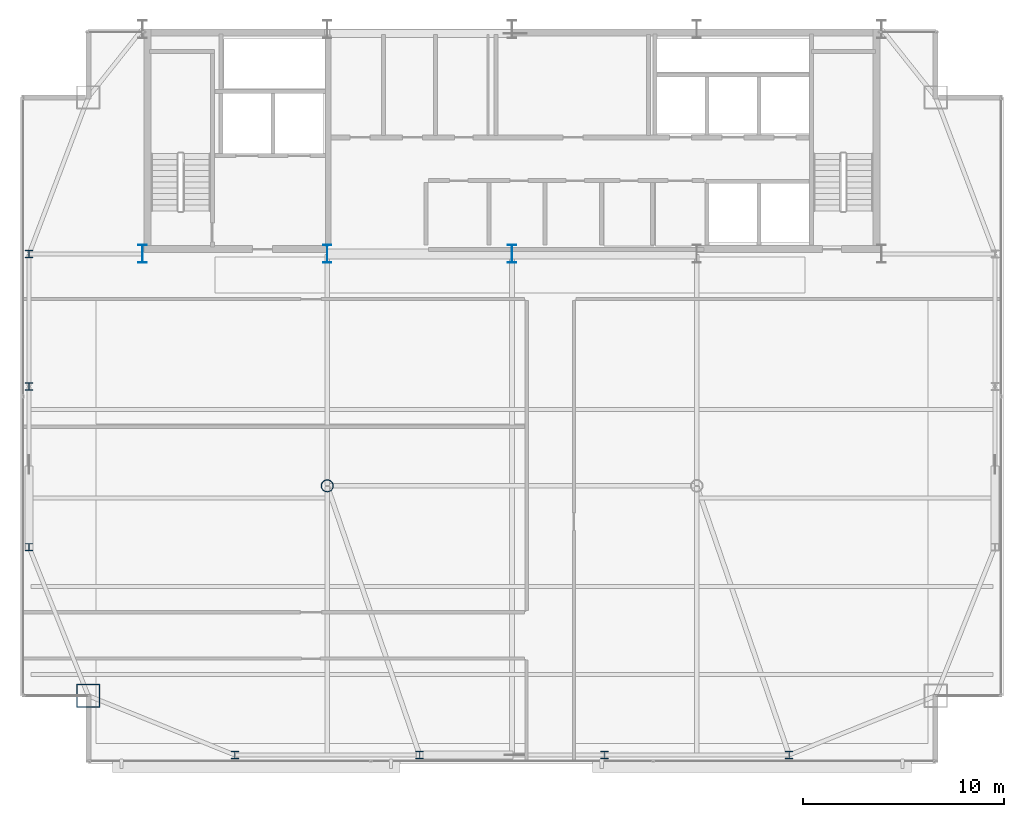
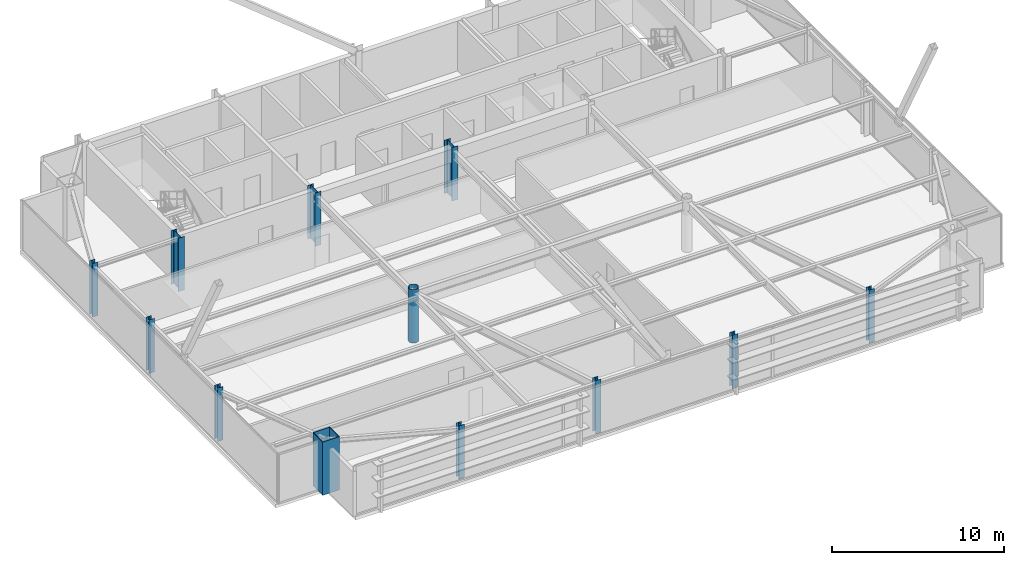
# One storey, part 1 of 27: 12 columns.
"""IFC4 building model written with IfcOpenShell, lengths in metres."""

from ifc_helpers import new_model, si_unit, direction, frame, origin, origin_2d, place, context, subcontext, project, spatial, hollow_rectangle, hollow_circle, i_section, extrude, source, transform, mapped, material, material_profile, profile_set, type_object, type_shapes, element, save


model = new_model("IFC4")

# Units and contexts
model_context = context("Model", 3, precision=1e-05, world=origin(), true_north=direction((0.0, 1.0)))
body_context = subcontext(model_context, "Body", "Model", "MODEL_VIEW")
ifc_project = project(units=[si_unit("LENGTHUNIT", "METRE"), si_unit("AREAUNIT", "SQUARE_METRE"), si_unit("VOLUMEUNIT", "CUBIC_METRE"), si_unit("PLANEANGLEUNIT", "RADIAN"), si_unit("MASSUNIT", "GRAM", prefix="KILO")], contexts=[model_context])

# Site, building, storey
site_placement = place(None, origin())
site = spatial("IfcSite", under=ifc_project, at=site_placement, CompositionType="ELEMENT")
building_placement = place(site_placement, origin())
building = spatial("IfcBuilding", under=site, at=building_placement, Name="Varnel Quay Broadcast Tower", CompositionType="ELEMENT")
storey_placement = place(building_placement, frame((0.0, 0.0, 243.199951171875)))
storey = spatial("IfcBuildingStorey", under=building, at=storey_placement, Name="L60", CompositionType="ELEMENT", Elevation=243.199951171875)

# Columns
ifc_material_1 = material(Name="Structural Steel CSA G40.21 350WT", Category="steel")
ifc_material_profile_1 = material_profile(ifc_material_1, i_section(OverallWidth=0.39990234375, OverallDepth=0.89990234375, WebThickness=0.01611328125, FlangeThickness=0.028076171875, FilletRadius=0.01611328125, at=origin_2d()), Name="WWF900X309")
ifc_profile_set_1 = profile_set([ifc_material_profile_1], Name="Structural Steel CSA G40.21 350WT")
column_type_1 = type_object("IfcColumnType", Name="Col_WWF900X309", PredefinedType="COLUMN", material=ifc_profile_set_1)
shared_shape_1 = source(origin(), body_context, "Body", "SweptSolid", [
    extrude(i_section(OverallWidth=0.39990234375, OverallDepth=0.89990234375, WebThickness=0.01611328125, FlangeThickness=0.028076171875, FilletRadius=0.01611328125, at=origin_2d()), origin(), (0.0, 0.0, 1.0), 3.800048828125),
])
type_shapes(column_type_1, [shared_shape_1])
for number, where, z_axis, x_axis, name in (
    (1, (15.60009765625, 35.60009765625, 0.0), (0.0, 0.0, 1.0), (1.0, 0.0, 0.0), "L60 Column CC-S1"),
    (2, (24.800048828125, 35.60009765625, 0.0), (0.0, 0.0, 1.0), (1.0, 0.0, 0.0), "L60 Column CC-S2"),
    (3, (34.0, 35.60009765625, 0.0), (0.0, 0.0, 1.0), (1.0, 0.0, 0.0), "L60 Column CC-S3"),
):
    element("IfcColumn", number, at=place(storey_placement, frame(where, z_axis=z_axis, x_axis=x_axis)), inside=storey, type_object=column_type_1, Name=name, PredefinedType="COLUMN", context=body_context, shape_type="MappedRepresentation", body=[
        mapped(shared_shape_1, transform((0.0, 0.0, 0.0), x_axis=(1.0, 0.0, 0.0), y_axis=(0.0, 1.0, 0.0), z_axis=(0.0, 0.0, 1.0), scale=1.0)),
    ])
ifc_material_profile_2 = material_profile(ifc_material_1, hollow_rectangle(XDim=1.14990234375, YDim=1.14990234375, WallThickness=0.044921875, at=origin_2d()), Name="BOX1150X1150X45")
ifc_profile_set_2 = profile_set([ifc_material_profile_2], Name="Structural Steel CSA G40.21 350WT")
column_type_2 = type_object("IfcColumnType", Name="Col_BOX1150X1150X45", PredefinedType="COLUMN", material=ifc_profile_set_2)
shared_shape_2 = source(origin(), body_context, "Body", "SweptSolid", [
    extrude(hollow_rectangle(XDim=1.14990234375, YDim=1.14990234375, WallThickness=0.044921875, at=origin_2d()), origin(), (0.0, 0.0, 1.0), 3.800048828125),
])
type_shapes(column_type_2, [shared_shape_2])
column_1_placement = place(storey_placement, frame((12.89990234375, 13.60009765625, 0.0), z_axis=(0.0, 0.0, 1.0), x_axis=(1.0, 0.0, 0.0)))
element("IfcColumn", 4, at=column_1_placement, inside=storey, type_object=column_type_2, Name="L60 Column MC-SW", PredefinedType="COLUMN", context=body_context, shape_type="MappedRepresentation", body=[
    mapped(shared_shape_2, transform((0.0, 0.0, 0.0), x_axis=(1.0, 0.0, 0.0), y_axis=(0.0, 1.0, 0.0), z_axis=(0.0, 0.0, 1.0), scale=1.0)),
])
ifc_material_2 = material(Name="Structural Steel CSA G40.21 350W", Category="steel")
ifc_material_profile_3 = material_profile(ifc_material_2, i_section(OverallWidth=0.368896484375, OverallDepth=0.35595703125, WebThickness=0.01123046875, FlangeThickness=0.01806640625, FilletRadius=0.01611328125, at=origin_2d()), Name="W360X134")
ifc_profile_set_3 = profile_set([ifc_material_profile_3], Name="Structural Steel CSA G40.21 350W")
column_type_3 = type_object("IfcColumnType", Name="Col_W360X134", PredefinedType="COLUMN", material=ifc_profile_set_3)
shared_shape_3 = source(origin(), body_context, "Body", "SweptSolid", [
    extrude(i_section(OverallWidth=0.368896484375, OverallDepth=0.35595703125, WebThickness=0.01123046875, FlangeThickness=0.01806640625, FilletRadius=0.01611328125, at=origin_2d()), origin(), (0.0, 0.0, 1.0), 3.800048828125),
])
type_shapes(column_type_3, [shared_shape_3])
for number, where, z_axis, x_axis, name in (
    (5, (20.199951171875, 10.64990234375, 0.0), (0.0, 0.0, 1.0), (1.0, 0.0, 0.0), "L60 Column TC-S1"),
    (6, (29.39990234375, 10.64990234375, 0.0), (0.0, 0.0, 1.0), (1.0, 0.0, 0.0), "L60 Column TC-S2"),
    (7, (38.60009765625, 10.64990234375, 0.0), (0.0, 0.0, 1.0), (1.0, 0.0, 0.0), "L60 Column TC-S3"),
    (8, (47.800048828125, 10.64990234375, 0.0), (0.0, 0.0, 1.0), (1.0, 0.0, 0.0), "L60 Column TC-S4"),
    (9, (9.949951171875, 21.0, 0.0), (0.0, 0.0, 1.0), (1.0, 0.0, 0.0), "L60 Column TC-W1"),
    (10, (9.949951171875, 29.0, 0.0), (0.0, 0.0, 1.0), (1.0, 0.0, 0.0), "L60 Column TC-W2"),
    (11, (9.949951171875, 35.60009765625, 0.0), (0.0, 0.0, 1.0), (1.0, 0.0, 0.0), "L60 Column TC-W3"),
):
    element("IfcColumn", number, at=place(storey_placement, frame(where, z_axis=z_axis, x_axis=x_axis)), inside=storey, type_object=column_type_3, Name=name, PredefinedType="COLUMN", context=body_context, shape_type="MappedRepresentation", body=[
        mapped(shared_shape_3, transform((0.0, 0.0, 0.0), x_axis=(1.0, 0.0, 0.0), y_axis=(0.0, 1.0, 0.0), z_axis=(0.0, 0.0, 1.0), scale=1.0)),
    ])
ifc_material_profile_4 = material_profile(ifc_material_2, hollow_circle(Radius=0.304931640625, WallThickness=0.02490234375, at=origin_2d()), Name="CHS610X25")
ifc_profile_set_4 = profile_set([ifc_material_profile_4], Name="Structural Steel CSA G40.21 350W")
column_type_4 = type_object("IfcColumnType", Name="Col_CHS610X25", PredefinedType="COLUMN", material=ifc_profile_set_4)
shared_shape_4 = source(origin(), body_context, "Body", "SweptSolid", [
    extrude(hollow_circle(Radius=0.304931640625, WallThickness=0.02490234375, at=origin_2d()), origin(), (0.0, 0.0, 1.0), 3.800048828125),
])
type_shapes(column_type_4, [shared_shape_4])
column_2_placement = place(storey_placement, frame((24.800048828125, 24.050048828125, 0.0), z_axis=(0.0, 0.0, 1.0), x_axis=(1.0, 0.0, 0.0)))
element("IfcColumn", 12, at=column_2_placement, inside=storey, type_object=column_type_4, Name="L60 Column IC-01", PredefinedType="COLUMN", context=body_context, shape_type="MappedRepresentation", body=[
    mapped(shared_shape_4, transform((0.0, 0.0, 0.0), x_axis=(1.0, 0.0, 0.0), y_axis=(0.0, 1.0, 0.0), z_axis=(0.0, 0.0, 1.0), scale=1.0)),
])

save(model, "model.ifc")
